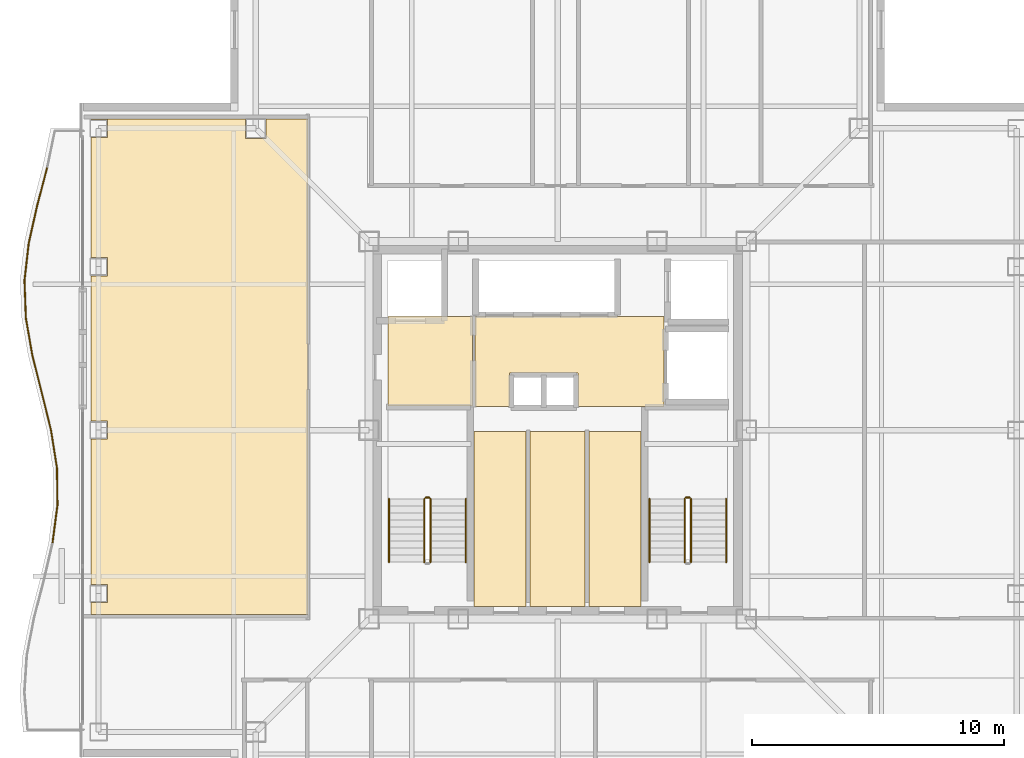
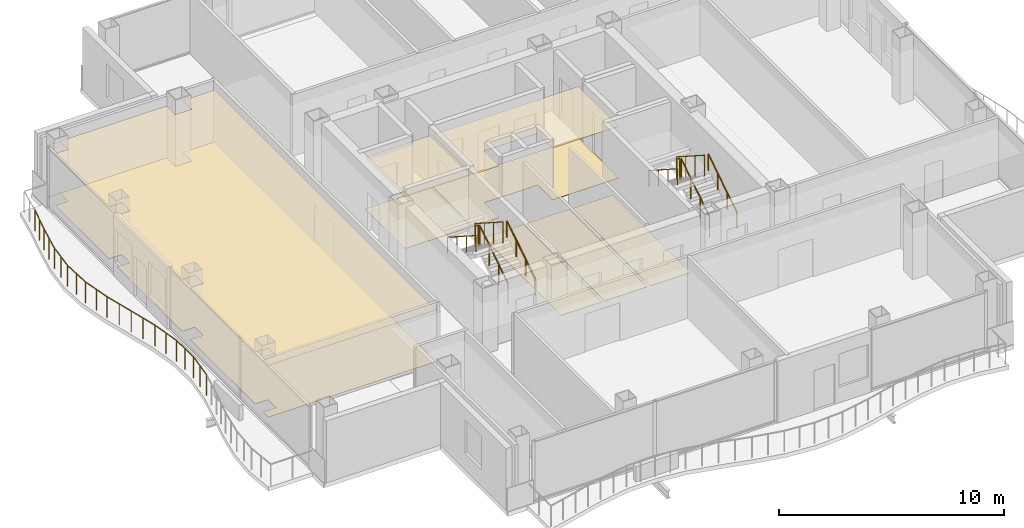
# One storey, part 15 of 17: 20 railings, 9 coverings.
"""IFC4 building model written with IfcOpenShell, lengths in metres."""

from ifc_helpers import new_model, si_unit, direction, frame, origin, origin_2d, place, context, subcontext, project, spatial, polyline, circle, outline, extrude, material, layer, layer_set, type_object, element, save


model = new_model("IFC4")

# Units and contexts
model_context = context("Model", 3, precision=1e-05, world=origin(), true_north=direction((0.0, 1.0)))
body_context = subcontext(model_context, "Body", "Model", "MODEL_VIEW")
ifc_project = project(units=[si_unit("LENGTHUNIT", "METRE"), si_unit("AREAUNIT", "SQUARE_METRE"), si_unit("VOLUMEUNIT", "CUBIC_METRE"), si_unit("PLANEANGLEUNIT", "RADIAN"), si_unit("MASSUNIT", "GRAM", prefix="KILO")], contexts=[model_context])

# Site, building, storey
site_placement = place(None, origin())
site = spatial("IfcSite", under=ifc_project, at=site_placement, CompositionType="ELEMENT")
building_placement = place(site_placement, origin())
building = spatial("IfcBuilding", under=site, at=building_placement, Name="Trevonay Congress Spire", CompositionType="ELEMENT")
storey_placement = place(building_placement, frame((0.0, 0.0, 264.800048828125)))
storey = spatial("IfcBuildingStorey", under=building, at=storey_placement, Name="L69", CompositionType="ELEMENT", Elevation=264.800048828125)

# Coverings
ifc_material_1 = material(Name="Acoustic Mineral Fibre Board", Category="gypsum")
ifc_layer_1 = layer(ifc_material_1, 0.02490234375, Name="Acoustic Mineral Fibre Board")
ifc_layer_set_1 = layer_set([ifc_layer_1], Name="Acoustic Mineral Fibre Board")
covering_type_1 = type_object("IfcCoveringType", Name="COV-CEIL-ACOUSTIC", PredefinedType="CEILING", material=ifc_layer_set_1)
covering_1_placement = place(storey_placement, frame((0.0, 0.0, 2.81005859375)))
element("IfcCovering", 1, at=covering_1_placement, inside=storey, type_object=covering_type_1, Name="L69 Firefighting Lift Lobby West acoustic suspended ceiling", PredefinedType="CEILING", context=body_context, shape_type="SweptSolid", body=[
    extrude(outline(polyline([(-6.75, 0.9599609375), (-3.3798828125, 0.9599609375), (-3.3798828125, 4.52001953125), (-6.75, 4.52001953125), (-6.75, 0.9599609375)])), origin(), (0.0, 0.0, 1.0), 0.02490234375),
])
covering_2_placement = place(storey_placement, frame((0.0, 0.0, 2.81005859375)))
element("IfcCovering", 2, at=covering_2_placement, inside=storey, type_object=covering_type_1, Name="L69 Central and High-Rise Passenger Lift Lobby acoustic suspended ceiling", PredefinedType="CEILING", context=body_context, shape_type="SweptSolid", body=[
    extrude(outline(polyline([(-3.280029296875, 0.949951171875), (-1.919921875, 0.949951171875), (-1.919921875, 2.280029296875), (0.820068359375, 2.280029296875), (0.820068359375, 0.949951171875), (4.219970703125, 0.949951171875), (4.219970703125, 4.52001953125), (-3.280029296875, 4.52001953125), (-3.280029296875, 0.949951171875)])), origin(), (0.0, 0.0, 1.0), 0.02490234375),
])
covering_3_placement = place(storey_placement, frame((0.0, 0.0, 2.81005859375)))
element("IfcCovering", 3, at=covering_3_placement, inside=storey, type_object=covering_type_1, Name="L69 Oceanographic Cartography Reading Lounge acoustic suspended ceiling", PredefinedType="CEILING", context=body_context, shape_type="SweptSolid", body=[
    extrude(outline(polyline([(-9.929931640625, 12.3701171875), (-9.929931640625, -7.320068359375), (-18.550048828125, -7.320068359375), (-18.550048828125, -6.860107421875), (-17.889892578125, -6.860107421875), (-17.889892578125, -6.139892578125), (-18.550048828125, -6.139892578125), (-18.550048828125, -0.360107421875), (-17.889892578125, -0.360107421875), (-17.889892578125, 0.360107421875), (-18.550048828125, 0.360107421875), (-18.550048828125, 6.139892578125), (-17.889892578125, 6.139892578125), (-17.889892578125, 6.860107421875), (-18.550048828125, 6.860107421875), (-18.550048828125, 11.639892578125), (-17.889892578125, 11.639892578125), (-17.889892578125, 12.360107421875), (-18.550048828125, 12.360107421875), (-18.550048828125, 12.3701171875), (-12.409912109375, 12.3701171875), (-12.409912109375, 11.590087890625), (-11.590087890625, 11.590087890625), (-11.590087890625, 12.3701171875), (-9.929931640625, 12.3701171875)])), origin(), (0.0, 0.0, 1.0), 0.02490234375),
])
ifc_material_2 = material(Name="Polished Granite Floor Tile", Category="masonry")
ifc_layer_2 = layer(ifc_material_2, 0.02001953125, Name="Polished Granite Floor Tile")
ifc_layer_set_2 = layer_set([ifc_layer_2], Name="Polished Granite Floor Tile")
covering_type_2 = type_object("IfcCoveringType", Name="COV-FLOOR-STONE", PredefinedType="FLOORING", material=ifc_layer_set_2)
covering_4_placement = place(storey_placement, origin())
element("IfcCovering", 4, at=covering_4_placement, inside=storey, type_object=covering_type_2, Name="L69 Firefighting Lift Lobby West floor finish", PredefinedType="FLOORING", context=body_context, shape_type="SweptSolid", body=[
    extrude(outline(polyline([(-6.75, 0.9599609375), (-3.3798828125, 0.9599609375), (-3.3798828125, 4.52001953125), (-6.75, 4.52001953125), (-6.75, 0.9599609375)])), origin(), (0.0, 0.0, 1.0), 0.02001953125),
])
covering_5_placement = place(storey_placement, origin())
element("IfcCovering", 5, at=covering_5_placement, inside=storey, type_object=covering_type_2, Name="L69 Central and High-Rise Passenger Lift Lobby floor finish", PredefinedType="FLOORING", context=body_context, shape_type="SweptSolid", body=[
    extrude(outline(polyline([(-3.280029296875, 0.949951171875), (-1.919921875, 0.949951171875), (-1.919921875, 2.280029296875), (0.820068359375, 2.280029296875), (0.820068359375, 0.949951171875), (4.219970703125, 0.949951171875), (4.219970703125, 4.52001953125), (-3.280029296875, 4.52001953125), (-3.280029296875, 0.949951171875)])), origin(), (0.0, 0.0, 1.0), 0.02001953125),
])
covering_6_placement = place(storey_placement, origin())
element("IfcCovering", 6, at=covering_6_placement, inside=storey, type_object=covering_type_2, Name="L69 Core AHU Fan Plant Room floor finish", PredefinedType="FLOORING", context=body_context, shape_type="SweptSolid", body=[
    extrude(outline(polyline([(-3.320068359375, -7.0), (-1.25, -7.0), (-1.25, -0.050048828125), (-3.320068359375, -0.050048828125), (-3.320068359375, -7.0)])), origin(), (0.0, 0.0, 1.0), 0.02001953125),
])
covering_7_placement = place(storey_placement, origin())
element("IfcCovering", 7, at=covering_7_placement, inside=storey, type_object=covering_type_2, Name="L69 Core IT Comms Store floor finish", PredefinedType="FLOORING", context=body_context, shape_type="SweptSolid", body=[
    extrude(outline(polyline([(-1.090087890625, -7.0), (1.090087890625, -7.0), (1.090087890625, -0.050048828125), (-1.090087890625, -0.050048828125), (-1.090087890625, -7.0)])), origin(), (0.0, 0.0, 1.0), 0.02001953125),
])
covering_8_placement = place(storey_placement, origin())
element("IfcCovering", 8, at=covering_8_placement, inside=storey, type_object=covering_type_2, Name="L69 Housekeeping Linen Store floor finish", PredefinedType="FLOORING", context=body_context, shape_type="SweptSolid", body=[
    extrude(outline(polyline([(1.25, -7.0), (3.320068359375, -7.0), (3.320068359375, -0.050048828125), (1.25, -0.050048828125), (1.25, -7.0)])), origin(), (0.0, 0.0, 1.0), 0.02001953125),
])
ifc_material_3 = material(Name="Engineered Oak Flooring", Category="wood")
ifc_layer_3 = layer(ifc_material_3, 0.01806640625, Name="Engineered Oak Flooring")
ifc_layer_set_3 = layer_set([ifc_layer_3], Name="Engineered Oak Flooring")
covering_type_3 = type_object("IfcCoveringType", Name="COV-FLOOR-TIMBER", PredefinedType="FLOORING", material=ifc_layer_set_3)
covering_9_placement = place(storey_placement, origin())
element("IfcCovering", 9, at=covering_9_placement, inside=storey, type_object=covering_type_3, Name="L69 Oceanographic Cartography Reading Lounge floor finish", PredefinedType="FLOORING", context=body_context, shape_type="SweptSolid", body=[
    extrude(outline(polyline([(-9.929931640625, 12.3701171875), (-9.929931640625, -7.320068359375), (-18.550048828125, -7.320068359375), (-18.550048828125, -6.860107421875), (-17.889892578125, -6.860107421875), (-17.889892578125, -6.139892578125), (-18.550048828125, -6.139892578125), (-18.550048828125, -0.360107421875), (-17.889892578125, -0.360107421875), (-17.889892578125, 0.360107421875), (-18.550048828125, 0.360107421875), (-18.550048828125, 6.139892578125), (-17.889892578125, 6.139892578125), (-17.889892578125, 6.860107421875), (-18.550048828125, 6.860107421875), (-18.550048828125, 11.639892578125), (-17.889892578125, 11.639892578125), (-17.889892578125, 12.360107421875), (-18.550048828125, 12.360107421875), (-18.550048828125, 12.3701171875), (-12.409912109375, 12.3701171875), (-12.409912109375, 11.590087890625), (-11.590087890625, 11.590087890625), (-11.590087890625, 12.3701171875), (-9.929931640625, 12.3701171875)])), origin(), (0.0, 0.0, 1.0), 0.01806640625),
])

# Railings
ifc_material_4 = material(Name="Pale Anodised Aluminium EN AW-6063-T6", Category="aluminium")
railing_type_1 = type_object("IfcRailingType", Name="RAL-EXT-GUARD-115", PredefinedType="GUARDRAIL", material=ifc_material_4)
railing_1_placement = place(storey_placement, frame((-20.302001953125, 10.416015625, 0.0)))
element("IfcRailing", 10, at=railing_1_placement, inside=storey, type_object=railing_type_1, Name="L69 perimeter safety guard GRD-L69-WAV-W-19", PredefinedType="GUARDRAIL", context=body_context, shape_type="SweptSolid", body=[
    extrude(circle(Radius=0.02392578125, at=origin_2d()), frame((0.0, 0.0, 1.1259765625), z_axis=(-0.252867738167, -0.967500856327, 0.0), x_axis=(0.967500856327, -0.252867738167, 0.0)), (0.0, 0.0, 1.0), 1.5380859375),
    extrude(circle(Radius=0.02099609375, at=origin_2d()), origin(), (0.0, 0.0, 1.0), 1.101806640625),
    extrude(circle(Radius=0.02099609375, at=origin_2d()), frame((-0.1943359375, -0.744140625, 0.0)), (0.0, 0.0, 1.0), 1.101806640625),
    extrude(circle(Radius=0.02099609375, at=origin_2d()), frame((-0.388916015625, -1.488037109375, 0.0)), (0.0, 0.0, 1.0), 1.101806640625),
])
railing_2_placement = place(storey_placement, frame((-20.69091796875, 8.927978515625, 0.0)))
element("IfcRailing", 11, at=railing_2_placement, inside=storey, type_object=railing_type_1, Name="L69 perimeter safety guard GRD-L69-WAV-W-20", PredefinedType="GUARDRAIL", context=body_context, shape_type="SweptSolid", body=[
    extrude(circle(Radius=0.02392578125, at=origin_2d()), frame((0.0, 0.0, 1.1259765625), z_axis=(-0.219607413418, -0.975588327099, 0.0), x_axis=(0.975588327099, -0.219607413418, 0.0)), (0.0, 0.0, 1.0), 1.525390625),
    extrude(circle(Radius=0.02099609375, at=origin_2d()), origin(), (0.0, 0.0, 1.0), 1.101806640625),
    extrude(circle(Radius=0.02099609375, at=origin_2d()), frame((-0.16748046875, -0.744140625, 0.0)), (0.0, 0.0, 1.0), 1.101806640625),
    extrude(circle(Radius=0.02099609375, at=origin_2d()), frame((-0.3349609375, -1.488037109375, 0.0)), (0.0, 0.0, 1.0), 1.101806640625),
])
railing_3_placement = place(storey_placement, frame((-21.02587890625, 7.43994140625, 0.0)))
element("IfcRailing", 12, at=railing_3_placement, inside=storey, type_object=railing_type_1, Name="L69 perimeter safety guard GRD-L69-WAV-W-21", PredefinedType="GUARDRAIL", context=body_context, shape_type="SweptSolid", body=[
    extrude(circle(Radius=0.02392578125, at=origin_2d()), frame((0.0, 0.0, 1.1259765625), z_axis=(-0.113615550136, -0.993524789206, 0.0), x_axis=(0.993524789206, -0.113615550136, 0.0)), (0.0, 0.0, 1.0), 1.497802734375),
    extrude(circle(Radius=0.02099609375, at=origin_2d()), origin(), (0.0, 0.0, 1.0), 1.101806640625),
    extrude(circle(Radius=0.02099609375, at=origin_2d()), frame((-0.0849609375, -0.744140625, 0.0)), (0.0, 0.0, 1.0), 1.101806640625),
    extrude(circle(Radius=0.02099609375, at=origin_2d()), frame((-0.170166015625, -1.488037109375, 0.0)), (0.0, 0.0, 1.0), 1.101806640625),
])
railing_4_placement = place(storey_placement, frame((-21.196044921875, 5.951904296875, 0.0)))
element("IfcRailing", 13, at=railing_4_placement, inside=storey, type_object=railing_type_1, Name="L69 perimeter safety guard GRD-L69-WAV-W-22", PredefinedType="GUARDRAIL", context=body_context, shape_type="SweptSolid", body=[
    extrude(circle(Radius=0.02392578125, at=origin_2d()), frame((0.0, 0.0, 1.1259765625), z_axis=(0.036241355047, -0.999343066311, 0.0), x_axis=(0.999343066311, 0.036241355047, 0.0)), (0.0, 0.0, 1.0), 1.48876953125),
    extrude(circle(Radius=0.02099609375, at=origin_2d()), origin(), (0.0, 0.0, 1.0), 1.101806640625),
    extrude(circle(Radius=0.02099609375, at=origin_2d()), frame((0.02685546875, -0.743896484375, 0.0)), (0.0, 0.0, 1.0), 1.101806640625),
    extrude(circle(Radius=0.02099609375, at=origin_2d()), frame((0.053955078125, -1.48779296875, 0.0)), (0.0, 0.0, 1.0), 1.101806640625),
])
railing_5_placement = place(storey_placement, frame((-21.14208984375, 4.464111328125, 0.0)))
element("IfcRailing", 14, at=railing_5_placement, inside=storey, type_object=railing_type_1, Name="L69 perimeter safety guard GRD-L69-WAV-W-23", PredefinedType="GUARDRAIL", context=body_context, shape_type="SweptSolid", body=[
    extrude(circle(Radius=0.02392578125, at=origin_2d()), frame((0.0, 0.0, 1.1259765625), z_axis=(0.170242575938, -0.985402184561, 0.0), x_axis=(0.985402184561, 0.170242575938, 0.0)), (0.0, 0.0, 1.0), 1.510009765625),
    extrude(circle(Radius=0.02099609375, at=origin_2d()), origin(), (0.0, 0.0, 1.0), 1.101806640625),
    extrude(circle(Radius=0.02099609375, at=origin_2d()), frame((0.12841796875, -0.744140625, 0.0)), (0.0, 0.0, 1.0), 1.101806640625),
    extrude(circle(Radius=0.02099609375, at=origin_2d()), frame((0.257080078125, -1.488037109375, 0.0)), (0.0, 0.0, 1.0), 1.101806640625),
])
railing_6_placement = place(storey_placement, frame((-20.885009765625, 2.97607421875, 0.0)))
element("IfcRailing", 15, at=railing_6_placement, inside=storey, type_object=railing_type_1, Name="L69 perimeter safety guard GRD-L69-WAV-W-24", PredefinedType="GUARDRAIL", context=body_context, shape_type="SweptSolid", body=[
    extrude(circle(Radius=0.02392578125, at=origin_2d()), frame((0.0, 0.0, 1.1259765625), z_axis=(0.245565653889, -0.969379961434, 0.0), x_axis=(0.969379961434, 0.245565653889, 0.0)), (0.0, 0.0, 1.0), 1.53515625),
    extrude(circle(Radius=0.02099609375, at=origin_2d()), origin(), (0.0, 0.0, 1.0), 1.101806640625),
    extrude(circle(Radius=0.02099609375, at=origin_2d()), frame((0.1884765625, -0.744140625, 0.0)), (0.0, 0.0, 1.0), 1.101806640625),
    extrude(circle(Radius=0.02099609375, at=origin_2d()), frame((0.376953125, -1.488037109375, 0.0)), (0.0, 0.0, 1.0), 1.101806640625),
])
railing_7_placement = place(storey_placement, frame((-20.508056640625, 1.488037109375, 0.0)))
element("IfcRailing", 16, at=railing_7_placement, inside=storey, type_object=railing_type_1, Name="L69 perimeter safety guard GRD-L69-WAV-W-25", PredefinedType="GUARDRAIL", context=body_context, shape_type="SweptSolid", body=[
    extrude(circle(Radius=0.02392578125, at=origin_2d()), frame((0.0, 0.0, 1.1259765625), z_axis=(0.23942340119, -0.970915256324, 0.0), x_axis=(0.970915256324, 0.23942340119, 0.0)), (0.0, 0.0, 1.0), 1.53271484375),
    extrude(circle(Radius=0.02099609375, at=origin_2d()), origin(), (0.0, 0.0, 1.0), 1.101806640625),
    extrude(circle(Radius=0.02099609375, at=origin_2d()), frame((0.18359375, -0.744140625, 0.0)), (0.0, 0.0, 1.0), 1.101806640625),
    extrude(circle(Radius=0.02099609375, at=origin_2d()), frame((0.366943359375, -1.488037109375, 0.0)), (0.0, 0.0, 1.0), 1.101806640625),
])
railing_8_placement = place(storey_placement, frame((-20.14111328125, 0.0, 0.0)))
element("IfcRailing", 17, at=railing_8_placement, inside=storey, type_object=railing_type_1, Name="L69 perimeter safety guard GRD-L69-WAV-W-26", PredefinedType="GUARDRAIL", context=body_context, shape_type="SweptSolid", body=[
    extrude(circle(Radius=0.02392578125, at=origin_2d()), frame((0.0, 0.0, 1.1259765625), z_axis=(0.156062435816, -0.987747192417, 0.0), x_axis=(0.987747192417, 0.156062435816, 0.0)), (0.0, 0.0, 1.0), 1.506591796875),
    extrude(circle(Radius=0.02099609375, at=origin_2d()), origin(), (0.0, 0.0, 1.0), 1.101806640625),
    extrude(circle(Radius=0.02099609375, at=origin_2d()), frame((0.11767578125, -0.744140625, 0.0)), (0.0, 0.0, 1.0), 1.101806640625),
    extrude(circle(Radius=0.02099609375, at=origin_2d()), frame((0.235107421875, -1.488037109375, 0.0)), (0.0, 0.0, 1.0), 1.101806640625),
])
railing_9_placement = place(storey_placement, frame((-19.906005859375, -1.488037109375, 0.0)))
element("IfcRailing", 18, at=railing_9_placement, inside=storey, type_object=railing_type_1, Name="L69 perimeter safety guard GRD-L69-WAV-W-27", PredefinedType="GUARDRAIL", context=body_context, shape_type="SweptSolid", body=[
    extrude(circle(Radius=0.02392578125, at=origin_2d()), frame((0.0, 0.0, 1.1259765625), z_axis=(0.014764592251, -0.999890997467, 0.0), x_axis=(0.999890997467, 0.014764592251, 0.0)), (0.0, 0.0, 1.0), 1.48828125),
    extrude(circle(Radius=0.02099609375, at=origin_2d()), origin(), (0.0, 0.0, 1.0), 1.101806640625),
    extrude(circle(Radius=0.02099609375, at=origin_2d()), frame((0.010986328125, -0.744140625, 0.0)), (0.0, 0.0, 1.0), 1.101806640625),
    extrude(circle(Radius=0.02099609375, at=origin_2d()), frame((0.02197265625, -1.488037109375, 0.0)), (0.0, 0.0, 1.0), 1.101806640625),
])
railing_10_placement = place(storey_placement, frame((-19.884033203125, -2.97607421875, 0.0)))
element("IfcRailing", 19, at=railing_10_placement, inside=storey, type_object=railing_type_1, Name="L69 perimeter safety guard GRD-L69-WAV-W-28", PredefinedType="GUARDRAIL", context=body_context, shape_type="SweptSolid", body=[
    extrude(circle(Radius=0.02392578125, at=origin_2d()), frame((0.0, 0.0, 1.1259765625), z_axis=(-0.130618613562, -0.991432689491, 0.0), x_axis=(0.991432689491, -0.130618613562, 0.0)), (0.0, 0.0, 1.0), 1.5009765625),
    extrude(circle(Radius=0.02099609375, at=origin_2d()), origin(), (0.0, 0.0, 1.0), 1.101806640625),
    extrude(circle(Radius=0.02099609375, at=origin_2d()), frame((-0.09814453125, -0.744140625, 0.0)), (0.0, 0.0, 1.0), 1.101806640625),
    extrude(circle(Radius=0.02099609375, at=origin_2d()), frame((-0.196044921875, -1.488037109375, 0.0)), (0.0, 0.0, 1.0), 1.101806640625),
])
railing_type_2 = type_object("IfcRailingType", Name="RAL-STAIR-GUARD-110", PredefinedType="GUARDRAIL", material=ifc_material_4)
railing_11_placement = place(storey_placement, frame((-5.050048828125, -5.25, 0.179931640625)))
element("IfcRailing", 20, at=railing_11_placement, inside=storey, type_object=railing_type_2, Name="L69 ST-1 stair guard 1", PredefinedType="GUARDRAIL", context=body_context, shape_type="SweptSolid", body=[
    extrude(circle(Radius=0.02392578125, at=origin_2d()), frame((0.0, 0.0, 1.1259765625), z_axis=(0.0, 0.841162588446, 0.540782303519), x_axis=(-1.0, 0.0, 0.0)), (0.0, 0.0, 1.0), 2.995849609375),
    extrude(circle(Radius=0.02099609375, at=origin_2d()), origin(), (0.0, 0.0, 1.0), 1.101806640625),
    extrude(circle(Radius=0.02099609375, at=origin_2d()), frame((0.0, 0.840087890625, 0.5400390625)), (0.0, 0.0, 1.0), 1.101806640625),
    extrude(circle(Radius=0.02099609375, at=origin_2d()), frame((0.0, 1.679931640625, 1.080078125)), (0.0, 0.0, 1.0), 1.101806640625),
    extrude(circle(Radius=0.02099609375, at=origin_2d()), frame((0.0, 2.52001953125, 1.6201171875)), (0.0, 0.0, 1.0), 1.101806640625),
])
railing_12_placement = place(storey_placement, frame((-5.10009765625, -2.679931640625, 1.800048828125)))
element("IfcRailing", 21, at=railing_12_placement, inside=storey, type_object=railing_type_2, Name="L69 ST-1 stair guard 2", PredefinedType="GUARDRAIL", context=body_context, shape_type="SweptSolid", body=[
    extrude(circle(Radius=0.02392578125, at=origin_2d()), frame((0.0, 0.0, 1.1259765625), z_axis=(-1.0, 0.0, 0.0), x_axis=(0.0, -1.0, 0.0)), (0.0, 0.0, 1.0), 0.14990234375),
    extrude(circle(Radius=0.02099609375, at=origin_2d()), origin(), (0.0, 0.0, 1.0), 1.101806640625),
    extrude(circle(Radius=0.02099609375, at=origin_2d()), frame((-0.14990234375, 0.0, 0.0)), (0.0, 0.0, 1.0), 1.101806640625),
])
railing_13_placement = place(storey_placement, frame((-5.300048828125, -2.72998046875, 1.97998046875)))
element("IfcRailing", 22, at=railing_13_placement, inside=storey, type_object=railing_type_2, Name="L69 ST-1 stair guard 3", PredefinedType="GUARDRAIL", context=body_context, shape_type="SweptSolid", body=[
    extrude(circle(Radius=0.02392578125, at=origin_2d()), frame((0.0, 0.0, 1.1259765625), z_axis=(0.0, -0.841199657755, 0.540724639528), x_axis=(1.0, 0.0, 0.0)), (0.0, 0.0, 1.0), 2.995849609375),
    extrude(circle(Radius=0.02099609375, at=origin_2d()), origin(), (0.0, 0.0, 1.0), 1.101806640625),
    extrude(circle(Radius=0.02099609375, at=origin_2d()), frame((0.0, -0.840087890625, 0.5400390625)), (0.0, 0.0, 1.0), 1.101806640625),
    extrude(circle(Radius=0.02099609375, at=origin_2d()), frame((0.0, -1.679931640625, 1.079833984375)), (0.0, 0.0, 1.0), 1.101806640625),
    extrude(circle(Radius=0.02099609375, at=origin_2d()), frame((0.0, -2.52001953125, 1.619873046875)), (0.0, 0.0, 1.0), 1.101806640625),
])
railing_14_placement = place(storey_placement, frame((5.300048828125, -5.25, 0.179931640625)))
element("IfcRailing", 23, at=railing_14_placement, inside=storey, type_object=railing_type_2, Name="L69 ST-2 stair guard 1", PredefinedType="GUARDRAIL", context=body_context, shape_type="SweptSolid", body=[
    extrude(circle(Radius=0.02392578125, at=origin_2d()), frame((0.0, 0.0, 1.1259765625), z_axis=(0.0, 0.841162588446, 0.540782303519), x_axis=(-1.0, 0.0, 0.0)), (0.0, 0.0, 1.0), 2.995849609375),
    extrude(circle(Radius=0.02099609375, at=origin_2d()), origin(), (0.0, 0.0, 1.0), 1.101806640625),
    extrude(circle(Radius=0.02099609375, at=origin_2d()), frame((0.0, 0.840087890625, 0.5400390625)), (0.0, 0.0, 1.0), 1.101806640625),
    extrude(circle(Radius=0.02099609375, at=origin_2d()), frame((0.0, 1.679931640625, 1.080078125)), (0.0, 0.0, 1.0), 1.101806640625),
    extrude(circle(Radius=0.02099609375, at=origin_2d()), frame((0.0, 2.52001953125, 1.6201171875)), (0.0, 0.0, 1.0), 1.101806640625),
])
railing_15_placement = place(storey_placement, frame((5.25, -2.679931640625, 1.800048828125)))
element("IfcRailing", 24, at=railing_15_placement, inside=storey, type_object=railing_type_2, Name="L69 ST-2 stair guard 2", PredefinedType="GUARDRAIL", context=body_context, shape_type="SweptSolid", body=[
    extrude(circle(Radius=0.02392578125, at=origin_2d()), frame((0.0, 0.0, 1.1259765625), z_axis=(-1.0, 0.0, 0.0), x_axis=(0.0, -1.0, 0.0)), (0.0, 0.0, 1.0), 0.14990234375),
    extrude(circle(Radius=0.02099609375, at=origin_2d()), origin(), (0.0, 0.0, 1.0), 1.101806640625),
    extrude(circle(Radius=0.02099609375, at=origin_2d()), frame((-0.14990234375, 0.0, 0.0)), (0.0, 0.0, 1.0), 1.101806640625),
])
railing_16_placement = place(storey_placement, frame((5.050048828125, -2.72998046875, 1.97998046875)))
element("IfcRailing", 25, at=railing_16_placement, inside=storey, type_object=railing_type_2, Name="L69 ST-2 stair guard 3", PredefinedType="GUARDRAIL", context=body_context, shape_type="SweptSolid", body=[
    extrude(circle(Radius=0.02392578125, at=origin_2d()), frame((0.0, 0.0, 1.1259765625), z_axis=(0.0, -0.841199657755, 0.540724639528), x_axis=(1.0, 0.0, 0.0)), (0.0, 0.0, 1.0), 2.995849609375),
    extrude(circle(Radius=0.02099609375, at=origin_2d()), origin(), (0.0, 0.0, 1.0), 1.101806640625),
    extrude(circle(Radius=0.02099609375, at=origin_2d()), frame((0.0, -0.840087890625, 0.5400390625)), (0.0, 0.0, 1.0), 1.101806640625),
    extrude(circle(Radius=0.02099609375, at=origin_2d()), frame((0.0, -1.679931640625, 1.079833984375)), (0.0, 0.0, 1.0), 1.101806640625),
    extrude(circle(Radius=0.02099609375, at=origin_2d()), frame((0.0, -2.52001953125, 1.619873046875)), (0.0, 0.0, 1.0), 1.101806640625),
])
railing_type_3 = type_object("IfcRailingType", Name="RAL-STAIR-HANDRAIL", PredefinedType="HANDRAIL", material=ifc_material_4)
railing_17_placement = place(storey_placement, frame((-3.64990234375, -5.25, 0.179931640625)))
element("IfcRailing", 26, at=railing_17_placement, inside=storey, type_object=railing_type_3, Name="L69 ST-1 stair handrail 1", PredefinedType="HANDRAIL", context=body_context, shape_type="SweptSolid", body=[
    extrude(circle(Radius=0.02392578125, at=origin_2d()), frame((0.0, 0.0, 0.8759765625), z_axis=(0.0, 0.841162588446, 0.540782303519), x_axis=(-1.0, 0.0, 0.0)), (0.0, 0.0, 1.0), 2.995849609375),
    extrude(circle(Radius=0.02099609375, at=origin_2d()), origin(), (0.0, 0.0, 1.0), 0.851806640625),
    extrude(circle(Radius=0.02099609375, at=origin_2d()), frame((0.0, 0.840087890625, 0.5400390625)), (0.0, 0.0, 1.0), 0.851806640625),
    extrude(circle(Radius=0.02099609375, at=origin_2d()), frame((0.0, 1.679931640625, 1.080078125)), (0.0, 0.0, 1.0), 0.851806640625),
    extrude(circle(Radius=0.02099609375, at=origin_2d()), frame((0.0, 2.52001953125, 1.6201171875)), (0.0, 0.0, 1.0), 0.851806640625),
])
railing_18_placement = place(storey_placement, frame((-6.699951171875, -2.72998046875, 1.97998046875)))
element("IfcRailing", 27, at=railing_18_placement, inside=storey, type_object=railing_type_3, Name="L69 ST-1 stair handrail 2", PredefinedType="HANDRAIL", context=body_context, shape_type="SweptSolid", body=[
    extrude(circle(Radius=0.02392578125, at=origin_2d()), frame((0.0, 0.0, 0.8759765625), z_axis=(0.0, -0.841199657755, 0.540724639528), x_axis=(1.0, 0.0, 0.0)), (0.0, 0.0, 1.0), 2.995849609375),
    extrude(circle(Radius=0.02099609375, at=origin_2d()), origin(), (0.0, 0.0, 1.0), 0.851806640625),
    extrude(circle(Radius=0.02099609375, at=origin_2d()), frame((0.0, -0.840087890625, 0.5400390625)), (0.0, 0.0, 1.0), 0.851806640625),
    extrude(circle(Radius=0.02099609375, at=origin_2d()), frame((0.0, -1.679931640625, 1.079833984375)), (0.0, 0.0, 1.0), 0.851806640625),
    extrude(circle(Radius=0.02099609375, at=origin_2d()), frame((0.0, -2.52001953125, 1.619873046875)), (0.0, 0.0, 1.0), 0.851806640625),
])
railing_19_placement = place(storey_placement, frame((6.699951171875, -5.25, 0.179931640625)))
element("IfcRailing", 28, at=railing_19_placement, inside=storey, type_object=railing_type_3, Name="L69 ST-2 stair handrail 1", PredefinedType="HANDRAIL", context=body_context, shape_type="SweptSolid", body=[
    extrude(circle(Radius=0.02392578125, at=origin_2d()), frame((0.0, 0.0, 0.8759765625), z_axis=(0.0, 0.841162588446, 0.540782303519), x_axis=(-1.0, 0.0, 0.0)), (0.0, 0.0, 1.0), 2.995849609375),
    extrude(circle(Radius=0.02099609375, at=origin_2d()), origin(), (0.0, 0.0, 1.0), 0.851806640625),
    extrude(circle(Radius=0.02099609375, at=origin_2d()), frame((0.0, 0.840087890625, 0.5400390625)), (0.0, 0.0, 1.0), 0.851806640625),
    extrude(circle(Radius=0.02099609375, at=origin_2d()), frame((0.0, 1.679931640625, 1.080078125)), (0.0, 0.0, 1.0), 0.851806640625),
    extrude(circle(Radius=0.02099609375, at=origin_2d()), frame((0.0, 2.52001953125, 1.6201171875)), (0.0, 0.0, 1.0), 0.851806640625),
])
railing_20_placement = place(storey_placement, frame((3.64990234375, -2.72998046875, 1.97998046875)))
element("IfcRailing", 29, at=railing_20_placement, inside=storey, type_object=railing_type_3, Name="L69 ST-2 stair handrail 2", PredefinedType="HANDRAIL", context=body_context, shape_type="SweptSolid", body=[
    extrude(circle(Radius=0.02392578125, at=origin_2d()), frame((0.0, 0.0, 0.8759765625), z_axis=(0.0, -0.841199657755, 0.540724639528), x_axis=(1.0, 0.0, 0.0)), (0.0, 0.0, 1.0), 2.995849609375),
    extrude(circle(Radius=0.02099609375, at=origin_2d()), origin(), (0.0, 0.0, 1.0), 0.851806640625),
    extrude(circle(Radius=0.02099609375, at=origin_2d()), frame((0.0, -0.840087890625, 0.5400390625)), (0.0, 0.0, 1.0), 0.851806640625),
    extrude(circle(Radius=0.02099609375, at=origin_2d()), frame((0.0, -1.679931640625, 1.079833984375)), (0.0, 0.0, 1.0), 0.851806640625),
    extrude(circle(Radius=0.02099609375, at=origin_2d()), frame((0.0, -2.52001953125, 1.619873046875)), (0.0, 0.0, 1.0), 0.851806640625),
])

save(model, "model.ifc")
